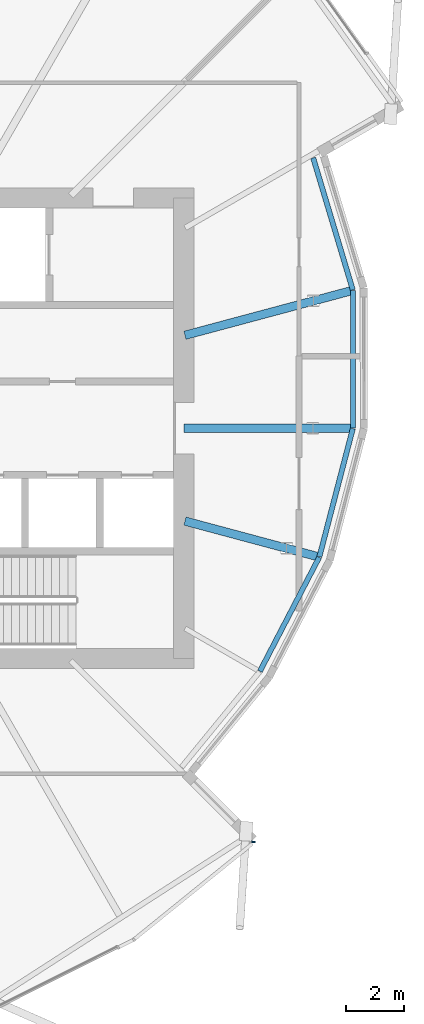
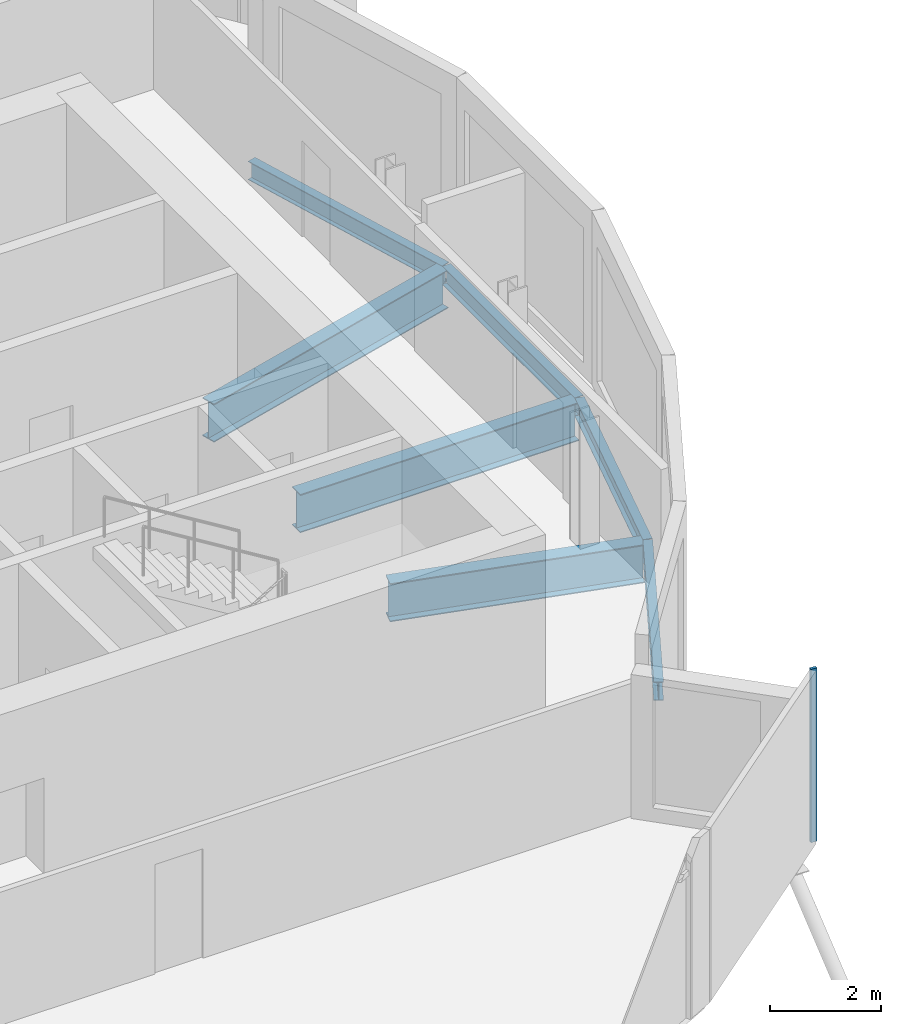
# One storey, part 15 of 39: 7 beams, 1 member, 1 element without a shape of its own.
"""IFC4 building model written with IfcOpenShell, lengths in metres."""

from ifc_helpers import new_model, si_unit, direction, frame, origin, origin_2d, place, context, subcontext, project, spatial, rectangle, i_section, extrude, material, material_profile, profile_set, type_object, element, aggregate, save


model = new_model("IFC4")

# Units and contexts
model_context = context("Model", 3, precision=1e-05, world=origin(), true_north=direction((0.0, 1.0)))
body_context = subcontext(model_context, "Body", "Model", "MODEL_VIEW")
ifc_project = project(units=[si_unit("LENGTHUNIT", "METRE"), si_unit("AREAUNIT", "SQUARE_METRE"), si_unit("VOLUMEUNIT", "CUBIC_METRE"), si_unit("PLANEANGLEUNIT", "RADIAN"), si_unit("MASSUNIT", "GRAM", prefix="KILO")], contexts=[model_context])

# Site, building, storey
site_placement = place(None, origin())
site = spatial("IfcSite", under=ifc_project, at=site_placement, CompositionType="ELEMENT")
building_placement = place(site_placement, origin())
building = spatial("IfcBuilding", under=site, at=building_placement, Name="Rimbun Link Towers", CompositionType="ELEMENT")
storey_placement = place(building_placement, frame((0.0, 0.0, 139.199951171875)))
storey = spatial("IfcBuildingStorey", under=building, at=storey_placement, Name="L33", CompositionType="ELEMENT", Elevation=139.199951171875)

# Curtain wall, member
ifc_material_1 = material(Name="Aluminium 6063-T6 and low-iron glass", Category="aluminium")
curtain_wall_type = type_object("IfcCurtainWallType", Name="CW4 link block wall", PredefinedType="NOTDEFINED", material=ifc_material_1)
curtain_wall_placement = place(storey_placement, origin())
curtain_wall = element("IfcCurtainWall", 1, at=curtain_wall_placement, inside=storey, type_object=curtain_wall_type, Name="CW4 L33 T2", PredefinedType="NOTDEFINED")
ifc_material_2 = material(Name="Aluminium 6063-T6", Category="aluminium")
ifc_material_profile_1 = material_profile(ifc_material_2, rectangle(XDim=0.1201171875, YDim=0.06005859375, at=origin_2d()), Name="MULLION 60X120")
ifc_profile_set_1 = profile_set([ifc_material_profile_1], Name="Aluminium 6063-T6")
member_type = type_object("IfcMemberType", Name="CW4 mullion 60X120", PredefinedType="MULLION", material=ifc_profile_set_1)
member_placement = place(storey_placement, frame((46.17529296875, -14.368408203125, 0.0), z_axis=(0.0, 0.0, 1.0), x_axis=(0.998624088058, -0.052439782127, 0.0)))
member = element("IfcMember", 2, at=member_placement, type_object=member_type, Name="CW4 mullion", PredefinedType="MULLION", context=body_context, shape_type="SweptSolid", body=[
    extrude(rectangle(XDim=0.1201171875, YDim=0.06005859375, at=origin_2d()), origin(), (0.0, 0.0, 1.0), 3.800048828125),
])
aggregate(curtain_wall, [member])

# Beams
ifc_material_3 = material(Name="Steel S355J2", Category="steel")
ifc_material_profile_2 = material_profile(ifc_material_3, i_section(OverallWidth=0.177978515625, OverallDepth=0.406494140625, WebThickness=0.0078125, FlangeThickness=0.0126953125, at=origin_2d()), Name="UB 406x178x60")
ifc_profile_set_2 = profile_set([ifc_material_profile_2], Name="Steel S355J2")
beam_type_1 = type_object("IfcBeamType", Name="UB 406x178x60", PredefinedType="BEAM", material=ifc_profile_set_2)
beam_1_placement = place(storey_placement, frame((46.39208984375, -8.44189453125, -0.383056640625), z_axis=(0.461630243497, 0.887072442526, 0.0), x_axis=(-0.887072442526, 0.461630243497, 0.0)))
element("IfcBeam", 3, at=beam_1_placement, inside=storey, type_object=beam_type_1, Name="Edge beam T2 L33 19 recess", PredefinedType="BEAM", context=body_context, shape_type="SweptSolid", body=[
    extrude(i_section(OverallWidth=0.177978515625, OverallDepth=0.406494140625, WebThickness=0.0078125, FlangeThickness=0.0126953125, at=origin_2d()), origin(), (0.0, 0.0, 1.0), 4.45947265625),
])
beam_2_placement = place(storey_placement, frame((48.45849609375, -4.465576171875, -0.383056640625), z_axis=(0.252333363174, 0.96764036389, 0.0), x_axis=(-0.96764036389, 0.252333363174, 0.0)))
element("IfcBeam", 4, at=beam_2_placement, inside=storey, type_object=beam_type_1, Name="Edge beam T2 L33 20 recess", PredefinedType="BEAM", context=body_context, shape_type="SweptSolid", body=[
    extrude(i_section(OverallWidth=0.177978515625, OverallDepth=0.406494140625, WebThickness=0.0078125, FlangeThickness=0.0126953125, at=origin_2d()), origin(), (0.0, 0.0, 1.0), 4.6025390625),
])
beam_3_placement = place(storey_placement, frame((49.622802734375, 0.012451171875, -0.383056640625), z_axis=(0.000153783062, 0.999999988175, 0.0), x_axis=(-0.999999988175, 0.000153783062, 0.0)))
element("IfcBeam", 5, at=beam_3_placement, inside=storey, type_object=beam_type_1, Name="Edge beam T2 L33 21 recess", PredefinedType="BEAM", context=body_context, shape_type="SweptSolid", body=[
    extrude(i_section(OverallWidth=0.177978515625, OverallDepth=0.406494140625, WebThickness=0.0078125, FlangeThickness=0.0126953125, at=origin_2d()), origin(), (0.0, 0.0, 1.0), 4.7626953125),
])
beam_4_placement = place(storey_placement, frame((49.619384765625, 4.802734375, -0.383056640625), z_axis=(-0.287413384328, 0.957806633152, 0.0), x_axis=(-0.957806633152, -0.287413384328, 0.0)))
element("IfcBeam", 6, at=beam_4_placement, inside=storey, type_object=beam_type_1, Name="Edge beam T2 L33 22 recess", PredefinedType="BEAM", context=body_context, shape_type="SweptSolid", body=[
    extrude(i_section(OverallWidth=0.177978515625, OverallDepth=0.406494140625, WebThickness=0.0078125, FlangeThickness=0.0126953125, at=origin_2d()), origin(), (0.0, 0.0, 1.0), 4.787353515625),
])
ifc_material_4 = material(Name="Steel S355J2", Category="steel")
ifc_material_profile_3 = material_profile(ifc_material_4, i_section(OverallWidth=0.29248046875, OverallDepth=0.8408203125, WebThickness=0.0126953125, FlangeThickness=0.021728515625, at=origin_2d()), Name="UB 838x292x194")
ifc_profile_set_3 = profile_set([ifc_material_profile_3], Name="Steel S355J2")
beam_type_2 = type_object("IfcBeamType", Name="UB 838x292x194", PredefinedType="BEAM", material=ifc_profile_set_3)
beam_5_placement = place(storey_placement, frame((43.788818359375, -3.225830078125, -0.600341796875), z_axis=(0.965928284471, -0.258809870868, 0.0), x_axis=(0.258809870868, 0.965928284471, 0.0)))
element("IfcBeam", 7, at=beam_5_placement, inside=storey, type_object=beam_type_2, Name="Radial beam T2 L33 20", PredefinedType="BEAM", context=body_context, shape_type="SweptSolid", body=[
    extrude(i_section(OverallWidth=0.29248046875, OverallDepth=0.8408203125, WebThickness=0.0126953125, FlangeThickness=0.021728515625, at=origin_2d()), origin(), (0.0, 0.0, 1.0), 4.7412109375),
])
beam_6_placement = place(storey_placement, frame((43.7509765625, 0.0, -0.600341796875), z_axis=(1.0, 0.0, 0.0), x_axis=(0.0, 1.0, 0.0)))
element("IfcBeam", 8, at=beam_6_placement, inside=storey, type_object=beam_type_2, Name="Radial beam T2 L33 21", PredefinedType="BEAM", context=body_context, shape_type="SweptSolid", body=[
    extrude(i_section(OverallWidth=0.29248046875, OverallDepth=0.8408203125, WebThickness=0.0126953125, FlangeThickness=0.021728515625, at=origin_2d()), origin(), (0.0, 0.0, 1.0), 5.78125),
])
beam_7_placement = place(storey_placement, frame((43.788818359375, 3.225830078125, -0.600341796875), z_axis=(0.96592369199, 0.258827010283, 0.0), x_axis=(-0.258827010283, 0.96592369199, 0.0)))
element("IfcBeam", 9, at=beam_7_placement, inside=storey, type_object=beam_type_2, Name="Radial beam T2 L33 22", PredefinedType="BEAM", context=body_context, shape_type="SweptSolid", body=[
    extrude(i_section(OverallWidth=0.29248046875, OverallDepth=0.8408203125, WebThickness=0.0126953125, FlangeThickness=0.021728515625, at=origin_2d()), origin(), (0.0, 0.0, 1.0), 5.949951171875),
])

save(model, "model.ifc")
